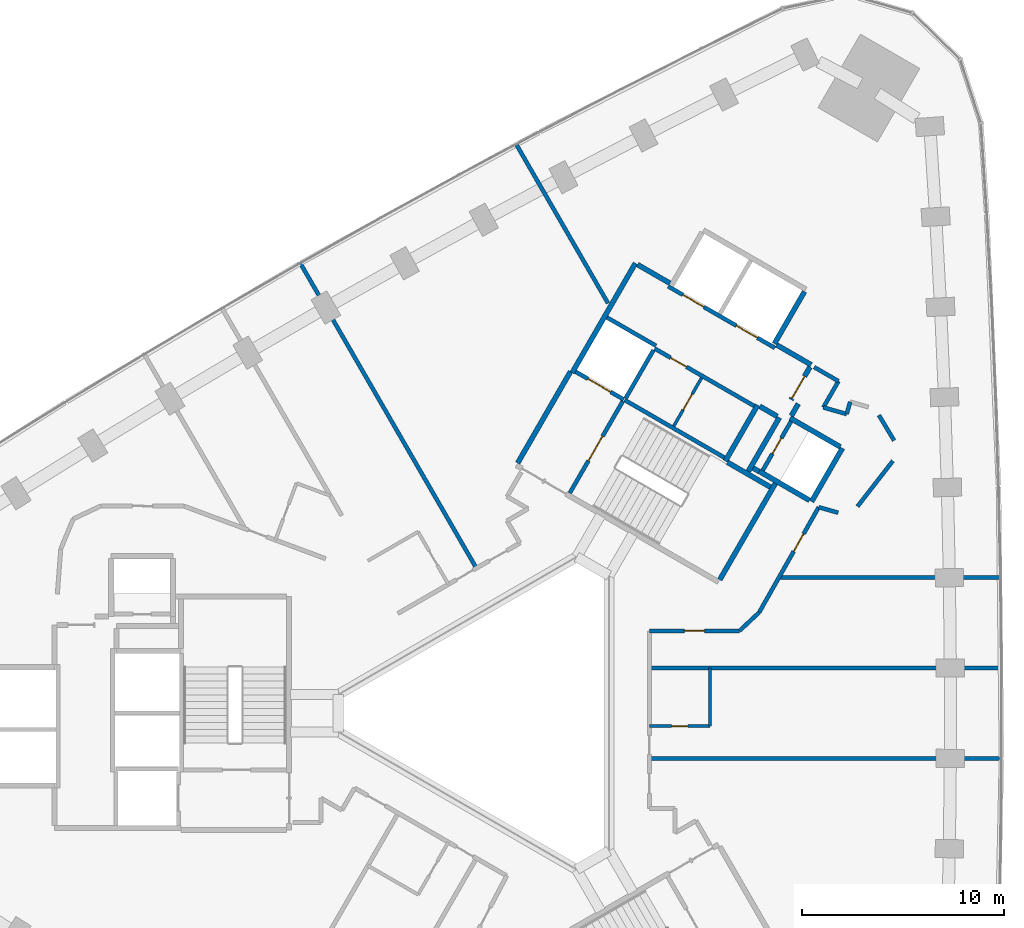
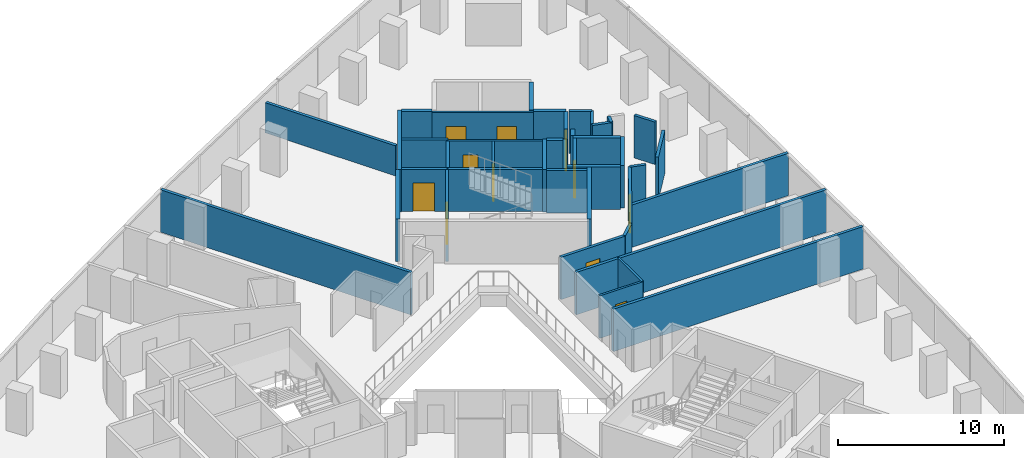
# One storey, part 11 of 13: 42 walls, 11 doors, 11 openings.
"""IFC4 building model written with IfcOpenShell, lengths in metres."""

from ifc_helpers import new_model, si_unit, direction, frame, frame_2d, origin, place, context, subcontext, project, spatial, rectangle, extrude, material, layer, layer_set, type_object, element, fill, save


model = new_model("IFC4")

# Units and contexts
model_context = context("Model", 3, precision=1e-05, world=origin(), true_north=direction((0.0, 1.0)))
body_context = subcontext(model_context, "Body", "Model", "MODEL_VIEW")
ifc_project = project(units=[si_unit("LENGTHUNIT", "METRE"), si_unit("AREAUNIT", "SQUARE_METRE"), si_unit("VOLUMEUNIT", "CUBIC_METRE"), si_unit("PLANEANGLEUNIT", "RADIAN"), si_unit("MASSUNIT", "GRAM", prefix="KILO")], contexts=[model_context])

# Site, building, storey
site_placement = place(None, origin())
site = spatial("IfcSite", under=ifc_project, at=site_placement, CompositionType="ELEMENT")
building_placement = place(site_placement, origin())
building = spatial("IfcBuilding", under=site, at=building_placement, Name="Tamra Quay Hotel Tower", CompositionType="ELEMENT")
storey_placement = place(building_placement, frame((0.0, 0.0, 60.199951171875)))
storey = spatial("IfcBuildingStorey", under=building, at=storey_placement, Name="L13", CompositionType="ELEMENT", Elevation=60.199951171875)

# Wall, openings, doors
ifc_material_1 = material(Name="Concrete M70", Category="concrete")
ifc_layer_1 = layer(ifc_material_1, 0.199951171875)
ifc_layer_set_1 = layer_set([ifc_layer_1], Name="Concrete M70 core wall 200")
wall_type_1 = type_object("IfcWallType", Name="Concrete M70 core wall 200", PredefinedType="SHEAR", material=ifc_layer_set_1)
wall_1_placement = place(storey_placement, frame((13.209716796875, 18.07958984375, 0.0), z_axis=(0.0, 0.0, 1.0), x_axis=(-0.866030299012, 0.499991521122, 0.0)))
wall_1 = element("IfcWall", 1, at=wall_1_placement, inside=storey, type_object=wall_type_1, Name="CW2", PredefinedType="SHEAR", context=body_context, shape_type="SweptSolid", body=[
    extrude(rectangle(XDim=6.10009765625, YDim=0.199951171875, at=frame_2d((3.050048828125, 0.0))), origin(), (0.0, 0.0, 1.0), 3.125),
])
opening_1_placement = place(wall_1_placement, frame((1.0, 0.0, 0.0)))
opening_1 = element("IfcOpeningElement", 2, at=opening_1_placement, cuts=wall_1, Name="Opening LD", PredefinedType="OPENING", context=body_context, shape_type="SweptSolid", body=[
    extrude(rectangle(XDim=1.199951171875, YDim=2.10009765625, at=frame_2d((0.60009765625, 1.050048828125))), frame((0.0, 0.10986328125, 0.0), z_axis=(0.0, -1.0, 0.0), x_axis=(1.0, 0.0, 0.0)), (0.0, 0.0, 1.0), 0.219970703125),
])
opening_2_placement = place(wall_1_placement, frame((4.05029296875, 0.0, 0.0)))
opening_2 = element("IfcOpeningElement", 3, at=opening_2_placement, cuts=wall_1, Name="Opening LD", PredefinedType="OPENING", context=body_context, shape_type="SweptSolid", body=[
    extrude(rectangle(XDim=1.199951171875, YDim=2.10009765625, at=frame_2d((0.60009765625, 1.050048828125))), frame((0.0, 0.10986328125, 0.0), z_axis=(0.0, -1.0, 0.0), x_axis=(1.0, 0.0, 0.0)), (0.0, 0.0, 1.0), 0.219970703125),
])
ifc_material_2 = material(Name="Landing door LD 1200 double door sliding")
door_type_1 = type_object("IfcDoorType", Name="Landing door LD 1200 double door sliding", OperationType="DOUBLE_DOOR_SLIDING", PredefinedType="DOOR", material=ifc_material_2)
door_1_placement = place(opening_1_placement, origin())
door_1 = element("IfcDoor", 4, at=door_1_placement, inside=storey, type_object=door_type_1, Name="LD", OperationType="DOUBLE_DOOR_SLIDING", OverallHeight=2.10009765625, OverallWidth=1.199951171875, PredefinedType="DOOR", context=body_context, shape_type="SweptSolid", body=[
    extrude(rectangle(XDim=1.199951171875, YDim=2.10009765625, at=frame_2d((0.60009765625, 1.050048828125))), frame((0.0, 0.02490234375, 0.0), z_axis=(0.0, -1.0, 0.0), x_axis=(1.0, 0.0, 0.0)), (0.0, 0.0, 1.0), 0.050048828125),
])
fill(opening_1, door_1)
door_2_placement = place(opening_2_placement, origin())
door_2 = element("IfcDoor", 5, at=door_2_placement, inside=storey, type_object=door_type_1, Name="LD", OperationType="DOUBLE_DOOR_SLIDING", OverallHeight=2.10009765625, OverallWidth=1.199951171875, PredefinedType="DOOR", context=body_context, shape_type="SweptSolid", body=[
    extrude(rectangle(XDim=1.199951171875, YDim=2.10009765625, at=frame_2d((0.60009765625, 1.050048828125))), frame((0.0, 0.02490234375, 0.0), z_axis=(0.0, -1.0, 0.0), x_axis=(1.0, 0.0, 0.0)), (0.0, 0.0, 1.0), 0.050048828125),
])
fill(opening_2, door_2)

# Wall
wall_2_placement = place(storey_placement, frame((5.774658203125, 15.501953125, 0.0), z_axis=(0.0, 0.0, 1.0), x_axis=(0.866020080793, -0.500009219579, 0.0)))
element("IfcWall", 6, at=wall_2_placement, inside=storey, type_object=wall_type_1, Name="CW2", PredefinedType="SHEAR", context=body_context, shape_type="SweptSolid", body=[
    extrude(rectangle(XDim=5.69921875, YDim=0.199951171875, at=frame_2d((2.849609375, 0.0))), origin(), (0.0, 0.0, 1.0), 3.125),
])

# Wall, opening, door
wall_3_placement = place(storey_placement, frame((12.18505859375, 15.20703125, 0.0), z_axis=(0.0, 0.0, 1.0), x_axis=(-0.866020080793, 0.500009219579, 0.0)))
wall_3 = element("IfcWall", 7, at=wall_3_placement, inside=storey, type_object=wall_type_1, Name="CW2", PredefinedType="SHEAR", context=body_context, shape_type="SweptSolid", body=[
    extrude(rectangle(XDim=5.69921875, YDim=0.199951171875, at=frame_2d((2.849609375, 0.0))), origin(), (0.0, 0.0, 1.0), 3.125),
])
opening_3_placement = place(wall_3_placement, frame((3.8740234375, 0.0, 0.0)))
opening_3 = element("IfcOpeningElement", 8, at=opening_3_placement, cuts=wall_3, Name="Opening D2", PredefinedType="OPENING", context=body_context, shape_type="SweptSolid", body=[
    extrude(rectangle(XDim=0.89990234375, YDim=2.10009765625, at=frame_2d((0.449951171875, 1.050048828125))), frame((0.0, 0.10986328125, 0.0), z_axis=(0.0, -1.0, 0.0), x_axis=(1.0, 0.0, 0.0)), (0.0, 0.0, 1.0), 0.219970703125),
])
ifc_material_3 = material(Name="Core door D2 900x2100 RH")
door_type_2 = type_object("IfcDoorType", Name="Core door D2 900x2100 RH", OperationType="NOTDEFINED", PredefinedType="DOOR", material=ifc_material_3)
door_3_placement = place(opening_3_placement, origin())
door_3 = element("IfcDoor", 9, at=door_3_placement, inside=storey, type_object=door_type_2, Name="D2", OperationType="SINGLE_SWING_RIGHT", OverallHeight=2.10009765625, OverallWidth=0.89990234375, PredefinedType="DOOR", context=body_context, shape_type="SweptSolid", body=[
    extrude(rectangle(XDim=0.89990234375, YDim=2.10009765625, at=frame_2d((0.449951171875, 1.050048828125))), frame((0.0, 0.02490234375, 0.0), z_axis=(0.0, -1.0, 0.0), x_axis=(1.0, 0.0, 0.0)), (0.0, 0.0, 1.0), 0.050048828125),
])
fill(opening_3, door_3)

wall_4_placement = place(storey_placement, frame((3.056640625, 10.89453125, 0.0), z_axis=(0.0, 0.0, 1.0), x_axis=(0.499989418164, 0.866031513124, 0.0)))
wall_4 = element("IfcWall", 10, at=wall_4_placement, inside=storey, type_object=wall_type_1, Name="CW2", PredefinedType="SHEAR", context=body_context, shape_type="SweptSolid", body=[
    extrude(rectangle(XDim=5.2509765625, YDim=0.199951171875, at=frame_2d((2.62548828125, 0.0))), origin(), (0.0, 0.0, 1.0), 3.125),
])
opening_4_placement = place(wall_4_placement, frame((1.84912109375, 0.0, 0.0)))
opening_4 = element("IfcOpeningElement", 11, at=opening_4_placement, cuts=wall_4, Name="Opening FD2", PredefinedType="OPENING", context=body_context, shape_type="SweptSolid", body=[
    extrude(rectangle(XDim=1.39990234375, YDim=2.10009765625, at=frame_2d((0.699951171875, 1.050048828125))), frame((0.0, 0.10986328125, 0.0), z_axis=(0.0, -1.0, 0.0), x_axis=(1.0, 0.0, 0.0)), (0.0, 0.0, 1.0), 0.219970703125),
])
ifc_material_4 = material(Name="Core door FD2 1400x2100 LH")
door_type_3 = type_object("IfcDoorType", Name="Core door FD2 1400x2100 LH", OperationType="NOTDEFINED", PredefinedType="DOOR", material=ifc_material_4)
door_4_placement = place(opening_4_placement, origin())
door_4 = element("IfcDoor", 12, at=door_4_placement, inside=storey, type_object=door_type_3, Name="FD2", OperationType="SINGLE_SWING_LEFT", OverallHeight=2.10009765625, OverallWidth=1.39990234375, PredefinedType="DOOR", context=body_context, shape_type="SweptSolid", body=[
    extrude(rectangle(XDim=1.39990234375, YDim=2.10009765625, at=frame_2d((0.699951171875, 1.050048828125))), frame((0.0, 0.02490234375, 0.0), z_axis=(0.0, -1.0, 0.0), x_axis=(1.0, 0.0, 0.0)), (0.0, 0.0, 1.0), 0.050048828125),
])
fill(opening_4, door_4)

wall_5_placement = place(storey_placement, frame((14.0078125, 14.442138671875, 0.0), z_axis=(0.0, 0.0, 1.0), x_axis=(-0.499986818241, -0.866033014143, 0.0)))
wall_5 = element("IfcWall", 13, at=wall_5_placement, inside=storey, type_object=wall_type_1, Name="CW2", PredefinedType="SHEAR", context=body_context, shape_type="SweptSolid", body=[
    extrude(rectangle(XDim=2.7978515625, YDim=0.199951171875, at=frame_2d((1.39892578125, 0.0))), origin(), (0.0, 0.0, 1.0), 3.125),
])
opening_5_placement = place(wall_5_placement, frame((0.948974609375, 0.0, 0.0)))
opening_5 = element("IfcOpeningElement", 14, at=opening_5_placement, cuts=wall_5, Name="Opening D1", PredefinedType="OPENING", context=body_context, shape_type="SweptSolid", body=[
    extrude(rectangle(XDim=0.89990234375, YDim=2.10009765625, at=frame_2d((0.449951171875, 1.050048828125))), frame((0.0, 0.10986328125, 0.0), z_axis=(0.0, -1.0, 0.0), x_axis=(1.0, 0.0, 0.0)), (0.0, 0.0, 1.0), 0.219970703125),
])
ifc_material_5 = material(Name="Core door D1 900x2100 LH")
door_type_4 = type_object("IfcDoorType", Name="Core door D1 900x2100 LH", OperationType="NOTDEFINED", PredefinedType="DOOR", material=ifc_material_5)
door_5_placement = place(opening_5_placement, origin())
door_5 = element("IfcDoor", 15, at=door_5_placement, inside=storey, type_object=door_type_4, Name="D1", OperationType="SINGLE_SWING_LEFT", OverallHeight=2.10009765625, OverallWidth=0.89990234375, PredefinedType="DOOR", context=body_context, shape_type="SweptSolid", body=[
    extrude(rectangle(XDim=0.89990234375, YDim=2.10009765625, at=frame_2d((0.449951171875, 1.050048828125))), frame((0.0, 0.02490234375, 0.0), z_axis=(0.0, -1.0, 0.0), x_axis=(1.0, 0.0, 0.0)), (0.0, 0.0, 1.0), 0.050048828125),
])
fill(opening_5, door_5)

# Wall
wall_6_placement = place(storey_placement, frame((7.199462890625, 17.969970703125, 0.0), z_axis=(0.0, 0.0, 1.0), x_axis=(-0.499968400327, -0.866043647095, 0.0)))
element("IfcWall", 16, at=wall_6_placement, inside=storey, type_object=wall_type_1, Name="CW2", PredefinedType="SHEAR", context=body_context, shape_type="SweptSolid", body=[
    extrude(rectangle(XDim=2.749755859375, YDim=0.199951171875, at=frame_2d((1.375, 0.0))), origin(), (0.0, 0.0, 1.0), 3.125),
])

# Wall, opening, door
wall_7_placement = place(storey_placement, frame((5.72509765625, 15.530517578125, 0.0), z_axis=(0.0, 0.0, 1.0), x_axis=(-0.866037306777, 0.499979382845, 0.0)))
wall_7 = element("IfcWall", 17, at=wall_7_placement, inside=storey, type_object=wall_type_1, Name="CW2", PredefinedType="SHEAR", context=body_context, shape_type="SweptSolid", body=[
    extrude(rectangle(XDim=2.74169921875, YDim=0.199951171875, at=frame_2d((1.370849609375, 0.0))), origin(), (0.0, 0.0, 1.0), 3.125),
])
opening_6_placement = place(wall_7_placement, frame((0.742919921875, 0.0, 0.0)))
opening_6 = element("IfcOpeningElement", 18, at=opening_6_placement, cuts=wall_7, Name="Opening LD", PredefinedType="OPENING", context=body_context, shape_type="SweptSolid", body=[
    extrude(rectangle(XDim=1.300048828125, YDim=2.10009765625, at=frame_2d((0.64990234375, 1.050048828125))), frame((0.0, 0.10986328125, 0.0), z_axis=(0.0, -1.0, 0.0), x_axis=(1.0, 0.0, 0.0)), (0.0, 0.0, 1.0), 0.219970703125),
])
ifc_material_6 = material(Name="Landing door LD 1300 sliding to left")
door_type_5 = type_object("IfcDoorType", Name="Landing door LD 1300 sliding to left", OperationType="NOTDEFINED", PredefinedType="DOOR", material=ifc_material_6)
door_6_placement = place(opening_6_placement, origin())
door_6 = element("IfcDoor", 19, at=door_6_placement, inside=storey, type_object=door_type_5, Name="LD", OperationType="SLIDING_TO_LEFT", OverallHeight=2.10009765625, OverallWidth=1.300048828125, PredefinedType="DOOR", context=body_context, shape_type="SweptSolid", body=[
    extrude(rectangle(XDim=1.300048828125, YDim=2.10009765625, at=frame_2d((0.64990234375, 1.050048828125))), frame((0.0, 0.02490234375, 0.0), z_axis=(0.0, -1.0, 0.0), x_axis=(1.0, 0.0, 0.0)), (0.0, 0.0, 1.0), 0.050048828125),
])
fill(opening_6, door_6)

# Walls
wall_8_placement = place(storey_placement, frame((4.900634765625, 19.5859375, 0.0), z_axis=(0.0, 0.0, 1.0), x_axis=(0.866022890907, -0.500004352405, 0.0)))
element("IfcWall", 20, at=wall_8_placement, inside=storey, type_object=wall_type_1, Name="CW2", PredefinedType="SHEAR", context=body_context, shape_type="SweptSolid", body=[
    extrude(rectangle(XDim=2.798828125, YDim=0.199951171875, at=frame_2d((1.3994140625, 0.0))), origin(), (0.0, 0.0, 1.0), 3.125),
])
ifc_layer_2 = layer(ifc_material_1, 0.25)
ifc_layer_set_2 = layer_set([ifc_layer_2], Name="Concrete M70 core wall 250")
wall_type_2 = type_object("IfcWallType", Name="Concrete M70 core wall 250", PredefinedType="SHEAR", material=ifc_layer_set_2)
wall_9_placement = place(storey_placement, frame((3.178955078125, 16.856201171875, 0.0), z_axis=(0.0, 0.0, 1.0), x_axis=(0.500004234368, 0.866022959057, 0.0)))
element("IfcWall", 21, at=wall_9_placement, inside=storey, type_object=wall_type_2, Name="CW1", PredefinedType="SHEAR", context=body_context, shape_type="SweptSolid", body=[
    extrude(rectangle(XDim=6.25, YDim=0.25, at=frame_2d((3.125, 0.0))), origin(), (0.0, 0.0, 1.0), 3.125),
])
wall_10_placement = place(storey_placement, frame((0.47998046875, 12.38134765625, 0.0), z_axis=(0.0, 0.0, 1.0), x_axis=(0.49999885962, 0.866026062182, 0.0)))
element("IfcWall", 22, at=wall_10_placement, inside=storey, type_object=wall_type_2, Name="CW1", PredefinedType="SHEAR", context=body_context, shape_type="SweptSolid", body=[
    extrude(rectangle(XDim=5.224609375, YDim=0.25, at=frame_2d((2.6123046875, 0.0))), origin(), (0.0, 0.0, 1.0), 3.125),
])
wall_11_placement = place(storey_placement, frame((13.237548828125, 11.3779296875, 0.0), z_axis=(0.0, 0.0, 1.0), x_axis=(-0.500008851346, -0.866020293397, 0.0)))
element("IfcWall", 23, at=wall_11_placement, inside=storey, type_object=wall_type_2, Name="CW1", PredefinedType="SHEAR", context=body_context, shape_type="SweptSolid", body=[
    extrude(rectangle(XDim=5.509765625, YDim=0.25, at=frame_2d((2.7548828125, 0.0))), origin(), (0.0, 0.0, 1.0), 3.125),
])
wall_12_placement = place(storey_placement, frame((12.356689453125, 15.25244140625, 0.0), z_axis=(0.0, 0.0, 1.0), x_axis=(-0.500028443584, -0.866008981251, 0.0)))
element("IfcWall", 24, at=wall_12_placement, inside=storey, type_object=wall_type_2, Name="CW1", PredefinedType="SHEAR", context=body_context, shape_type="SweptSolid", body=[
    extrude(rectangle(XDim=3.199951171875, YDim=0.25, at=frame_2d((1.60009765625, 0.0))), origin(), (0.0, 0.0, 1.0), 3.125),
])
wall_13_placement = place(storey_placement, frame((14.67626953125, 20.869873046875, 0.0), z_axis=(0.0, 0.0, 1.0), x_axis=(-0.499987686533, -0.866032512851, 0.0)))
element("IfcWall", 25, at=wall_13_placement, inside=storey, type_object=wall_type_2, Name="CW1", PredefinedType="SHEAR", context=body_context, shape_type="SweptSolid", body=[
    extrude(rectangle(XDim=2.974609375, YDim=0.25, at=frame_2d((1.4873046875, 0.0))), origin(), (0.0, 0.0, 1.0), 3.125),
])
wall_14_placement = place(storey_placement, frame((16.552001953125, 13.118896484375, 0.0), z_axis=(0.0, 0.0, 1.0), x_axis=(-0.499978833458, -0.866037623948, 0.0)))
element("IfcWall", 26, at=wall_14_placement, inside=storey, type_object=wall_type_2, Name="CW1", PredefinedType="SHEAR", context=body_context, shape_type="SweptSolid", body=[
    extrude(rectangle(XDim=3.050048828125, YDim=0.25, at=frame_2d((1.52490234375, 0.0))), origin(), (0.0, 0.0, 1.0), 3.125),
])
wall_15_placement = place(storey_placement, frame((14.91845703125, 10.540283203125, 0.0), z_axis=(0.0, 0.0, 1.0), x_axis=(-0.866063538972, 0.499933942099, 0.0)))
element("IfcWall", 27, at=wall_15_placement, inside=storey, type_object=wall_type_2, Name="CW1", PredefinedType="SHEAR", context=body_context, shape_type="SweptSolid", body=[
    extrude(rectangle(XDim=2.86474609375, YDim=0.25, at=frame_2d((1.432373046875, 0.0))), origin(), (0.0, 0.0, 1.0), 3.125),
])
wall_16_placement = place(storey_placement, frame((13.962646484375, 14.61376953125, 0.0), z_axis=(0.0, 0.0, 1.0), x_axis=(0.866042235819, -0.499970844928, 0.0)))
element("IfcWall", 28, at=wall_16_placement, inside=storey, type_object=wall_type_2, Name="CW1", PredefinedType="SHEAR", context=body_context, shape_type="SweptSolid", body=[
    extrude(rectangle(XDim=2.864501953125, YDim=0.25, at=frame_2d((1.43212890625, 0.0))), origin(), (0.0, 0.0, 1.0), 3.125),
])
wall_17_placement = place(storey_placement, frame((11.887939453125, 11.960693359375, 0.0), z_axis=(0.0, 0.0, 1.0), x_axis=(0.500003324108, 0.866023484601, 0.0)))
element("IfcWall", 29, at=wall_17_placement, inside=storey, type_object=wall_type_2, Name="CW1", PredefinedType="SHEAR", context=body_context, shape_type="SweptSolid", body=[
    extrude(rectangle(XDim=3.0849609375, YDim=0.25, at=frame_2d((1.54248046875, 0.0))), origin(), (0.0, 0.0, 1.0), 3.125),
])
wall_18_placement = place(storey_placement, frame((10.865234375, 12.41845703125, 0.0), z_axis=(0.0, 0.0, 1.0), x_axis=(0.866026229868, -0.499998569178, 0.0)))
element("IfcWall", 30, at=wall_18_placement, inside=storey, type_object=wall_type_2, Name="CW1", PredefinedType="SHEAR", context=body_context, shape_type="SweptSolid", body=[
    extrude(rectangle(XDim=2.44921875, YDim=0.25, at=frame_2d((1.224609375, 0.0))), origin(), (0.0, 0.0, 1.0), 3.125),
])
wall_19_placement = place(storey_placement, frame((13.29736328125, 18.23095703125, 0.0), z_axis=(0.0, 0.0, 1.0), x_axis=(0.866043531843, -0.499968599967, 0.0)))
element("IfcWall", 31, at=wall_19_placement, inside=storey, type_object=wall_type_2, Name="CW1", PredefinedType="SHEAR", context=body_context, shape_type="SweptSolid", body=[
    extrude(rectangle(XDim=1.974853515625, YDim=0.25, at=frame_2d((0.9873046875, 0.0))), origin(), (0.0, 0.0, 1.0), 3.125),
])
wall_20_placement = place(storey_placement, frame((6.41259765625, 22.2060546875, 0.0), z_axis=(0.0, 0.0, 1.0), x_axis=(0.866016279763, -0.500015802937, 0.0)))
element("IfcWall", 32, at=wall_20_placement, inside=storey, type_object=wall_type_2, Name="CW1", PredefinedType="SHEAR", context=body_context, shape_type="SweptSolid", body=[
    extrude(rectangle(XDim=1.84912109375, YDim=0.25, at=frame_2d((0.924560546875, 0.0))), origin(), (0.0, 0.0, 1.0), 3.125),
])

# Wall, opening, door
wall_21_placement = place(storey_placement, frame((14.94482421875, 17.13525390625, 0.0), z_axis=(0.0, 0.0, 1.0), x_axis=(-0.499983108224, -0.866035156036, 0.0)))
wall_21 = element("IfcWall", 33, at=wall_21_placement, inside=storey, type_object=wall_type_2, Name="CW1", PredefinedType="SHEAR", context=body_context, shape_type="SweptSolid", body=[
    extrude(rectangle(XDim=1.86474609375, YDim=0.25, at=frame_2d((0.932373046875, 0.0))), origin(), (0.0, 0.0, 1.0), 3.125),
])
opening_7_placement = place(wall_21_placement, frame((0.53466796875, 0.0, 0.0)))
opening_7 = element("IfcOpeningElement", 34, at=opening_7_placement, cuts=wall_21, Name="Opening FD3", PredefinedType="OPENING", context=body_context, shape_type="SweptSolid", body=[
    extrude(rectangle(XDim=1.25, YDim=2.10009765625, at=frame_2d((0.625, 1.050048828125))), frame((0.0, 0.135009765625, 0.0), z_axis=(0.0, -1.0, 0.0), x_axis=(1.0, 0.0, 0.0)), (0.0, 0.0, 1.0), 0.27001953125),
])
ifc_material_7 = material(Name="Core door FD3 1250x2100 LH")
door_type_6 = type_object("IfcDoorType", Name="Core door FD3 1250x2100 LH", OperationType="NOTDEFINED", PredefinedType="DOOR", material=ifc_material_7)
door_7_placement = place(opening_7_placement, origin())
door_7 = element("IfcDoor", 35, at=door_7_placement, inside=storey, type_object=door_type_6, Name="FD3", OperationType="SINGLE_SWING_LEFT", OverallHeight=2.10009765625, OverallWidth=1.25, PredefinedType="DOOR", context=body_context, shape_type="SweptSolid", body=[
    extrude(rectangle(XDim=1.25, YDim=2.10009765625, at=frame_2d((0.625, 1.050048828125))), frame((0.0, 0.02490234375, 0.0), z_axis=(0.0, -1.0, 0.0), x_axis=(1.0, 0.0, 0.0)), (0.0, 0.0, 1.0), 0.050048828125),
])
fill(opening_7, door_7)

# Walls
wall_22_placement = place(storey_placement, frame((13.322021484375, 14.695068359375, 0.0), z_axis=(0.0, 0.0, 1.0), x_axis=(-0.866017078145, 0.500014420154, 0.0)))
element("IfcWall", 36, at=wall_22_placement, inside=storey, type_object=wall_type_2, Name="CW1", PredefinedType="SHEAR", context=body_context, shape_type="SweptSolid", body=[
    extrude(rectangle(XDim=0.9892578125, YDim=0.25, at=frame_2d((0.49462890625, 0.0))), origin(), (0.0, 0.0, 1.0), 3.125),
])
wall_23_placement = place(storey_placement, frame((14.36767578125, 15.3154296875, 0.0), z_axis=(0.0, 0.0, 1.0), x_axis=(-0.499897359611, -0.866084655132, 0.0)))
element("IfcWall", 37, at=wall_23_placement, inside=storey, type_object=wall_type_2, Name="CW1", PredefinedType="SHEAR", context=body_context, shape_type="SweptSolid", body=[
    extrude(rectangle(XDim=0.684814453125, YDim=0.25, at=frame_2d((0.34228515625, 0.0))), origin(), (0.0, 0.0, 1.0), 3.125),
])
wall_24_placement = place(storey_placement, frame((12.4326171875, 11.9638671875, 0.0), z_axis=(0.0, 0.0, 1.0), x_axis=(-0.866055875208, 0.499947218231, 0.0)))
element("IfcWall", 38, at=wall_24_placement, inside=storey, type_object=wall_type_2, Name="CW1", PredefinedType="SHEAR", context=body_context, shape_type="SweptSolid", body=[
    extrude(rectangle(XDim=0.3447265625, YDim=0.25, at=frame_2d((0.17236328125, 0.0))), origin(), (0.0, 0.0, 1.0), 3.125),
])

# Wall, opening, door
ifc_material_8 = material(Name="Blockwork", Category="masonry")
ifc_layer_3 = layer(ifc_material_8, 0.14990234375)
ifc_layer_set_3 = layer_set([ifc_layer_3], Name="Core partition block 150")
wall_type_3 = type_object("IfcWallType", Name="Core partition block 150", PredefinedType="PARTITIONING", material=ifc_layer_set_3)
wall_25_placement = place(storey_placement, frame((8.20654296875, 14.214111328125, 0.0), z_axis=(0.0, 0.0, 1.0), x_axis=(0.499922376475, 0.866070215109, 0.0)))
wall_25 = element("IfcWall", 39, at=wall_25_placement, inside=storey, type_object=wall_type_3, Name="CP1", PredefinedType="PARTITIONING", context=body_context, shape_type="SweptSolid", body=[
    extrude(rectangle(XDim=2.74853515625, YDim=0.14990234375, at=frame_2d((1.374267578125, 0.0))), origin(), (0.0, 0.0, 1.0), 3.125),
])
opening_8_placement = place(wall_25_placement, frame((0.92431640625, 0.0, 0.0)))
opening_8 = element("IfcOpeningElement", 40, at=opening_8_placement, cuts=wall_25, Name="Opening D2", PredefinedType="OPENING", context=body_context, shape_type="SweptSolid", body=[
    extrude(rectangle(XDim=0.89990234375, YDim=2.10009765625, at=frame_2d((0.449951171875, 1.050048828125))), frame((0.0, 0.0849609375, 0.0), z_axis=(0.0, -1.0, 0.0), x_axis=(1.0, 0.0, 0.0)), (0.0, 0.0, 1.0), 0.169921875),
])
door_8_placement = place(opening_8_placement, origin())
door_8 = element("IfcDoor", 41, at=door_8_placement, inside=storey, type_object=door_type_2, Name="D2", OperationType="SINGLE_SWING_RIGHT", OverallHeight=2.10009765625, OverallWidth=0.89990234375, PredefinedType="DOOR", context=body_context, shape_type="SweptSolid", body=[
    extrude(rectangle(XDim=0.89990234375, YDim=2.10009765625, at=frame_2d((0.449951171875, 1.050048828125))), frame((0.0, 0.02490234375, 0.0), z_axis=(0.0, -1.0, 0.0), x_axis=(1.0, 0.0, 0.0)), (0.0, 0.0, 1.0), 0.050048828125),
])
fill(opening_8, door_8)

ifc_material_9 = material(Name="Partition corridor wall")
ifc_layer_4 = layer(ifc_material_9, 0.199951171875)
ifc_layer_set_4 = layer_set([ifc_layer_4], Name="Partition corridor wall")
wall_type_4 = type_object("IfcWallType", Name="Partition corridor wall", PredefinedType="PARTITIONING", material=ifc_layer_set_4)
wall_26_placement = place(storey_placement, frame((7.0, 4.077880859375, 0.0), z_axis=(0.0, 0.0, 1.0), x_axis=(1.0, 0.0, 0.0)))
wall_26 = element("IfcWall", 42, at=wall_26_placement, inside=storey, type_object=wall_type_4, Name="W-C", PredefinedType="PARTITIONING", context=body_context, shape_type="SweptSolid", body=[
    extrude(rectangle(XDim=4.4580078125, YDim=0.199951171875, at=frame_2d((2.22900390625, 0.0))), origin(), (0.0, 0.0, 1.0), 3.125),
])
opening_9_placement = place(wall_26_placement, frame((1.72900390625, 0.0, 0.0)))
opening_9 = element("IfcOpeningElement", 43, at=opening_9_placement, cuts=wall_26, Name="Opening L13-D004", PredefinedType="OPENING", context=body_context, shape_type="SweptSolid", body=[
    extrude(rectangle(XDim=1.0, YDim=2.10009765625, at=frame_2d((0.5, 1.050048828125))), frame((0.0, 0.10986328125, 0.0), z_axis=(0.0, -1.0, 0.0), x_axis=(1.0, 0.0, 0.0)), (0.0, 0.0, 1.0), 0.219970703125),
])
ifc_material_10 = material(Name="Door guest room 1000x2100")
door_type_7 = type_object("IfcDoorType", Name="Door guest room 1000x2100", OperationType="NOTDEFINED", PredefinedType="DOOR", material=ifc_material_10)
door_9_placement = place(opening_9_placement, origin())
door_9 = element("IfcDoor", 44, at=door_9_placement, inside=storey, type_object=door_type_7, Name="L13-D004", OperationType="SINGLE_SWING_LEFT", OverallHeight=2.10009765625, OverallWidth=1.0, PredefinedType="DOOR", context=body_context, shape_type="SweptSolid", body=[
    extrude(rectangle(XDim=1.0, YDim=2.10009765625, at=frame_2d((0.5, 1.050048828125))), frame((0.0, 0.02490234375, 0.0), z_axis=(0.0, -1.0, 0.0), x_axis=(1.0, 0.0, 0.0)), (0.0, 0.0, 1.0), 0.050048828125),
])
fill(opening_9, door_9)

# Wall
wall_27_placement = place(storey_placement, frame((11.4580078125, 4.077880859375, 0.0), z_axis=(0.0, 0.0, 1.0), x_axis=(0.729936032318, 0.683515463412, 0.0)))
element("IfcWall", 45, at=wall_27_placement, inside=storey, type_object=wall_type_4, Name="W-C", PredefinedType="PARTITIONING", context=body_context, shape_type="SweptSolid", body=[
    extrude(rectangle(XDim=1.3359375, YDim=0.199951171875, at=frame_2d((0.66796875, 0.0))), origin(), (0.0, 0.0, 1.0), 3.125),
])

# Wall, opening, door
wall_28_placement = place(storey_placement, frame((12.43310546875, 4.991943359375, 0.0), z_axis=(0.0, 0.0, 1.0), x_axis=(0.492583054982, 0.870265438786, 0.0)))
wall_28 = element("IfcWall", 46, at=wall_28_placement, inside=storey, type_object=wall_type_4, Name="W-C", PredefinedType="PARTITIONING", context=body_context, shape_type="SweptSolid", body=[
    extrude(rectangle(XDim=5.981201171875, YDim=0.199951171875, at=frame_2d((2.99072265625, 0.0))), origin(), (0.0, 0.0, 1.0), 3.125),
])
opening_10_placement = place(wall_28_placement, frame((3.469482421875, 0.0, 0.0)))
opening_10 = element("IfcOpeningElement", 47, at=opening_10_placement, cuts=wall_28, Name="Opening L13-D005", PredefinedType="OPENING", context=body_context, shape_type="SweptSolid", body=[
    extrude(rectangle(XDim=1.0, YDim=2.10009765625, at=frame_2d((0.5, 1.050048828125))), frame((0.0, 0.10986328125, 0.0), z_axis=(0.0, -1.0, 0.0), x_axis=(1.0, 0.0, 0.0)), (0.0, 0.0, 1.0), 0.219970703125),
])
door_10_placement = place(opening_10_placement, origin())
door_10 = element("IfcDoor", 48, at=door_10_placement, inside=storey, type_object=door_type_7, Name="L13-D005", OperationType="SINGLE_SWING_LEFT", OverallHeight=2.10009765625, OverallWidth=1.0, PredefinedType="DOOR", context=body_context, shape_type="SweptSolid", body=[
    extrude(rectangle(XDim=1.0, YDim=2.10009765625, at=frame_2d((0.5, 1.050048828125))), frame((0.0, 0.02490234375, 0.0), z_axis=(0.0, -1.0, 0.0), x_axis=(1.0, 0.0, 0.0)), (0.0, 0.0, 1.0), 0.050048828125),
])
fill(opening_10, door_10)

# Walls
wall_29_placement = place(storey_placement, frame((15.155517578125, 17.130126953125, 0.0), z_axis=(0.0, 0.0, 1.0), x_axis=(0.865755062894, -0.500467952093, 0.0)))
element("IfcWall", 49, at=wall_29_placement, inside=storey, type_object=wall_type_4, Name="W-C", PredefinedType="PARTITIONING", context=body_context, shape_type="SweptSolid", body=[
    extrude(rectangle(XDim=1.388916015625, YDim=0.199951171875, at=frame_2d((0.6943359375, 0.0))), origin(), (0.0, 0.0, 1.0), 3.125),
])
wall_30_placement = place(storey_placement, frame((15.3798828125, 10.197021484375, 0.0), z_axis=(0.0, 0.0, 1.0), x_axis=(0.961523947641, -0.274721127897, 0.0)))
element("IfcWall", 50, at=wall_30_placement, inside=storey, type_object=wall_type_4, Name="W-C", PredefinedType="PARTITIONING", context=body_context, shape_type="SweptSolid", body=[
    extrude(rectangle(XDim=1.000732421875, YDim=0.199951171875, at=frame_2d((0.50048828125, 0.0))), origin(), (0.0, 0.0, 1.0), 3.125),
])
wall_31_placement = place(storey_placement, frame((15.60888671875, 15.135986328125, 0.0), z_axis=(0.0, 0.0, 1.0), x_axis=(0.499501622561, 0.866312950993, 0.0)))
element("IfcWall", 51, at=wall_31_placement, inside=storey, type_object=wall_type_4, Name="W-C", PredefinedType="PARTITIONING", context=body_context, shape_type="SweptSolid", body=[
    extrude(rectangle(XDim=1.49951171875, YDim=0.199951171875, at=frame_2d((0.749755859375, 0.0))), origin(), (0.0, 0.0, 1.0), 3.125),
])
wall_32_placement = place(storey_placement, frame((15.60888671875, 15.135986328125, 0.0), z_axis=(0.0, 0.0, 1.0), x_axis=(0.961662011825, -0.274237442763, 0.0)))
element("IfcWall", 52, at=wall_32_placement, inside=storey, type_object=wall_type_4, Name="W-C", PredefinedType="PARTITIONING", context=body_context, shape_type="SweptSolid", body=[
    extrude(rectangle(XDim=1.199951171875, YDim=0.199951171875, at=frame_2d((0.60009765625, 0.0))), origin(), (0.0, 0.0, 1.0), 3.125),
])
wall_33_placement = place(storey_placement, frame((16.762939453125, 14.806884765625, 0.0), z_axis=(0.0, 0.0, 1.0), x_axis=(0.274464026122, 0.961597368115, 0.0)))
element("IfcWall", 53, at=wall_33_placement, inside=storey, type_object=wall_type_4, Name="W-C", PredefinedType="PARTITIONING", context=body_context, shape_type="SweptSolid", body=[
    extrude(rectangle(XDim=0.627197265625, YDim=0.199951171875, at=frame_2d((0.3134765625, 0.0))), origin(), (0.0, 0.0, 1.0), 3.125),
])
wall_34_placement = place(storey_placement, frame((17.299072265625, 10.235107421875, 0.0), z_axis=(0.0, 0.0, 1.0), x_axis=(0.61377461522, 0.789481299153, 0.0)))
element("IfcWall", 54, at=wall_34_placement, inside=storey, type_object=wall_type_4, Name="W-C", PredefinedType="PARTITIONING", context=body_context, shape_type="SweptSolid", body=[
    extrude(rectangle(XDim=2.851318359375, YDim=0.199951171875, at=frame_2d((1.42578125, 0.0))), origin(), (0.0, 0.0, 1.0), 3.125),
])
wall_35_placement = place(storey_placement, frame((18.360107421875, 14.7509765625, 0.0), z_axis=(0.0, 0.0, 1.0), x_axis=(0.514495755428, -0.857492925713, 0.0)))
element("IfcWall", 55, at=wall_35_placement, inside=storey, type_object=wall_type_4, Name="W-C", PredefinedType="PARTITIONING", context=body_context, shape_type="SweptSolid", body=[
    extrude(rectangle(XDim=1.457763671875, YDim=0.199951171875, at=frame_2d((0.72900390625, 0.0))), origin(), (0.0, 0.0, 1.0), 3.125),
])

# Wall, opening, door
ifc_material_11 = material(Name="Partition en-suite wall")
ifc_layer_5 = layer(ifc_material_11, 0.14990234375)
ifc_layer_set_5 = layer_set([ifc_layer_5], Name="Partition en-suite wall")
wall_type_5 = type_object("IfcWallType", Name="Partition en-suite wall", PredefinedType="PARTITIONING", material=ifc_layer_set_5)
wall_36_placement = place(storey_placement, frame((7.0, -0.635009765625, 0.0), z_axis=(0.0, 0.0, 1.0), x_axis=(1.0, 0.0, 0.0)))
wall_36 = element("IfcWall", 56, at=wall_36_placement, inside=storey, type_object=wall_type_5, Name="W-E", PredefinedType="PARTITIONING", context=body_context, shape_type="SweptSolid", body=[
    extrude(rectangle(XDim=3.0, YDim=0.14990234375, at=frame_2d((1.5, 0.0))), origin(), (0.0, 0.0, 1.0), 3.125),
])
opening_11_placement = place(wall_36_placement, frame((1.10009765625, 0.0, 0.0)))
opening_11 = element("IfcOpeningElement", 57, at=opening_11_placement, cuts=wall_36, Name="Opening L13-D003", PredefinedType="OPENING", context=body_context, shape_type="SweptSolid", body=[
    extrude(rectangle(XDim=0.800048828125, YDim=2.10009765625, at=frame_2d((0.39990234375, 1.050048828125))), frame((0.0, 0.0849609375, 0.0), z_axis=(0.0, -1.0, 0.0), x_axis=(1.0, 0.0, 0.0)), (0.0, 0.0, 1.0), 0.169921875),
])
ifc_material_12 = material(Name="Door en-suite 800x2100")
door_type_8 = type_object("IfcDoorType", Name="Door en-suite 800x2100", OperationType="NOTDEFINED", PredefinedType="DOOR", material=ifc_material_12)
door_11_placement = place(opening_11_placement, origin())
door_11 = element("IfcDoor", 58, at=door_11_placement, inside=storey, type_object=door_type_8, Name="L13-D003", OperationType="SINGLE_SWING_LEFT", OverallHeight=2.10009765625, OverallWidth=0.800048828125, PredefinedType="DOOR", context=body_context, shape_type="SweptSolid", body=[
    extrude(rectangle(XDim=0.800048828125, YDim=2.10009765625, at=frame_2d((0.39990234375, 1.050048828125))), frame((0.0, 0.02490234375, 0.0), z_axis=(0.0, -1.0, 0.0), x_axis=(1.0, 0.0, 0.0)), (0.0, 0.0, 1.0), 0.050048828125),
])
fill(opening_11, door_11)

# Walls
wall_37_placement = place(storey_placement, frame((10.0, -0.635009765625, 0.0), z_axis=(0.0, 0.0, 1.0), x_axis=(0.0, 1.0, 0.0)))
element("IfcWall", 59, at=wall_37_placement, inside=storey, type_object=wall_type_5, Name="W-E", PredefinedType="PARTITIONING", context=body_context, shape_type="SweptSolid", body=[
    extrude(rectangle(XDim=2.8701171875, YDim=0.14990234375, at=frame_2d((1.43505859375, 0.0))), origin(), (0.0, 0.0, 1.0), 3.125),
])
ifc_material_13 = material(Name="Partition party wall")
ifc_layer_6 = layer(ifc_material_13, 0.199951171875)
ifc_layer_set_6 = layer_set([ifc_layer_6], Name="Partition party wall")
wall_type_6 = type_object("IfcWallType", Name="Partition party wall", PredefinedType="PARTITIONING", material=ifc_layer_set_6)
wall_38_placement = place(storey_placement, frame((-10.2763671875, 22.2705078125, 0.0), z_axis=(0.0, 0.0, 1.0), x_axis=(0.499975954304, -0.866039286129, 0.0)))
element("IfcWall", 60, at=wall_38_placement, inside=storey, type_object=wall_type_6, Name="W-P", PredefinedType="PARTITIONING", context=body_context, shape_type="SweptSolid", body=[
    extrude(rectangle(XDim=17.423583984375, YDim=0.199951171875, at=frame_2d((8.7119140625, 0.0))), origin(), (0.0, 0.0, 1.0), 3.125),
])
wall_39_placement = place(storey_placement, frame((0.411865234375, 28.153076171875, 0.0), z_axis=(0.0, 0.0, 1.0), x_axis=(0.500039143415, -0.866002803143, 0.0)))
element("IfcWall", 61, at=wall_39_placement, inside=storey, type_object=wall_type_6, Name="W-P", PredefinedType="PARTITIONING", context=body_context, shape_type="SweptSolid", body=[
    extrude(rectangle(XDim=9.075439453125, YDim=0.199951171875, at=frame_2d((4.53759765625, 0.0))), origin(), (0.0, 0.0, 1.0), 2.22509765625),
])
wall_40_placement = place(storey_placement, frame((7.0, 2.235107421875, 0.0), z_axis=(0.0, 0.0, 1.0), x_axis=(1.0, 0.0, 0.0)))
element("IfcWall", 62, at=wall_40_placement, inside=storey, type_object=wall_type_6, Name="W-P", PredefinedType="PARTITIONING", context=body_context, shape_type="SweptSolid", body=[
    extrude(rectangle(XDim=17.425048828125, YDim=0.199951171875, at=frame_2d((8.71240234375, 0.0))), origin(), (0.0, 0.0, 1.0), 3.125),
])
wall_41_placement = place(storey_placement, frame((7.0009765625, -2.235107421875, 0.0), z_axis=(0.0, 0.0, 1.0), x_axis=(1.0, 0.0, 0.0)))
element("IfcWall", 63, at=wall_41_placement, inside=storey, type_object=wall_type_6, Name="W-P", PredefinedType="PARTITIONING", context=body_context, shape_type="SweptSolid", body=[
    extrude(rectangle(XDim=17.424072265625, YDim=0.199951171875, at=frame_2d((8.7119140625, 0.0))), origin(), (0.0, 0.0, 1.0), 3.125),
])
wall_42_placement = place(storey_placement, frame((13.403076171875, 6.7060546875, 0.0), z_axis=(0.0, 0.0, 1.0), x_axis=(1.0, 0.0, 0.0)))
element("IfcWall", 64, at=wall_42_placement, inside=storey, type_object=wall_type_6, Name="W-P", PredefinedType="PARTITIONING", context=body_context, shape_type="SweptSolid", body=[
    extrude(rectangle(XDim=10.9736328125, YDim=0.199951171875, at=frame_2d((5.48681640625, 0.0))), origin(), (0.0, 0.0, 1.0), 3.125),
])

save(model, "model.ifc")
